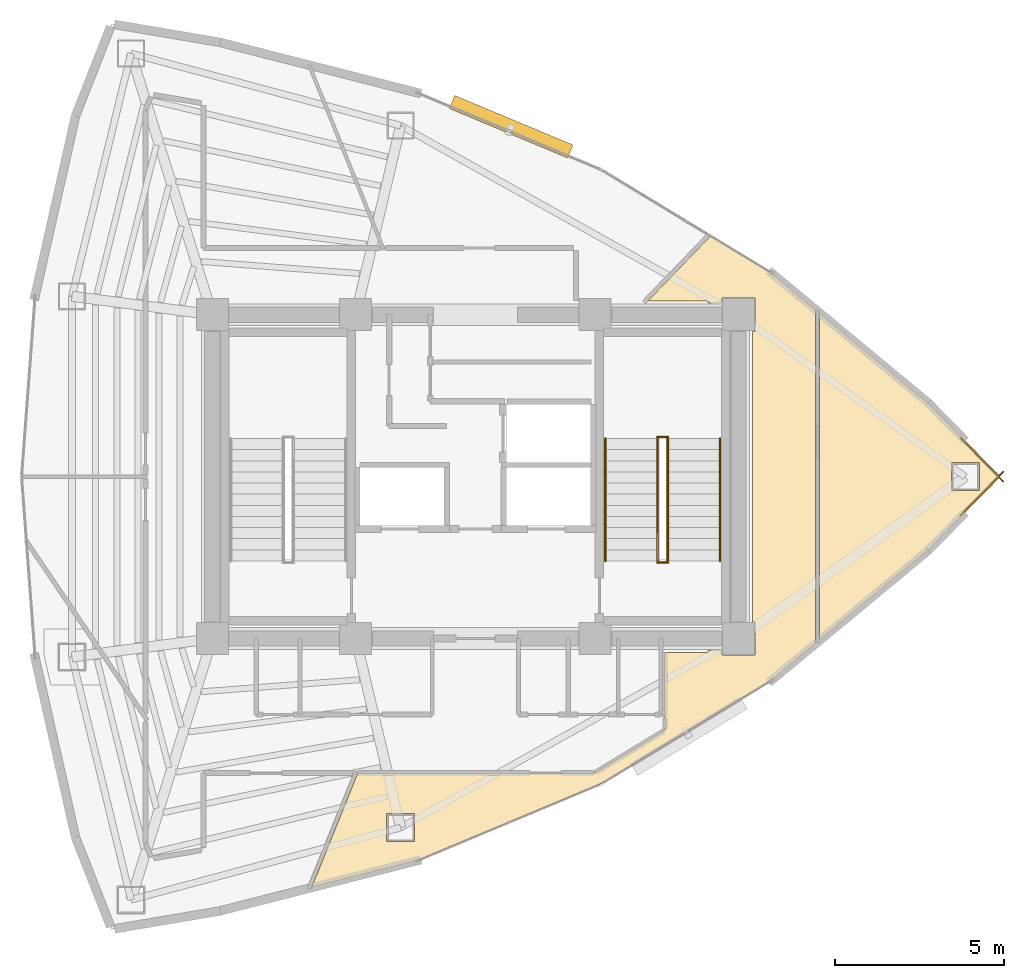
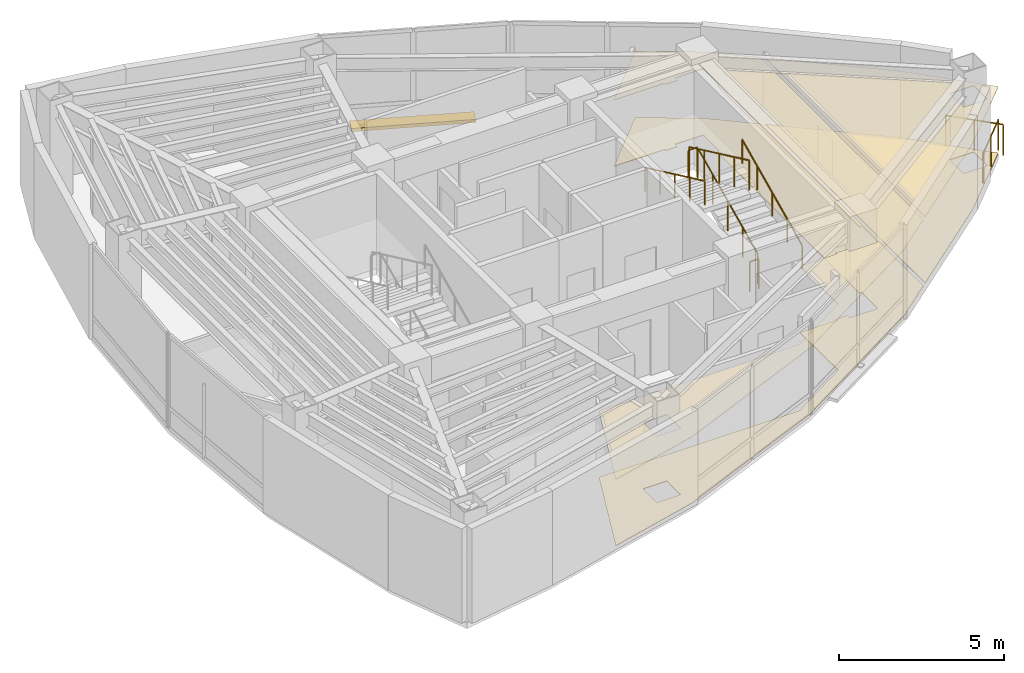
# One storey, part 15 of 15: 8 railings, 4 coverings, 1 shading device.
"""IFC4 building model written with IfcOpenShell, lengths in metres."""

from ifc_helpers import new_model, si_unit, direction, frame, origin, origin_2d, place, context, subcontext, project, spatial, polyline, rectangle, circle, outline, extrude, material, layer, layer_set, type_object, element, save


model = new_model("IFC4")

# Units and contexts
model_context = context("Model", 3, precision=1e-05, world=origin(), true_north=direction((0.0, 1.0)))
body_context = subcontext(model_context, "Body", "Model", "MODEL_VIEW")
ifc_project = project(units=[si_unit("LENGTHUNIT", "METRE"), si_unit("AREAUNIT", "SQUARE_METRE"), si_unit("VOLUMEUNIT", "CUBIC_METRE"), si_unit("PLANEANGLEUNIT", "RADIAN"), si_unit("MASSUNIT", "GRAM", prefix="KILO")], contexts=[model_context])

# Site, building, storey
site_placement = place(None, origin())
site = spatial("IfcSite", under=ifc_project, at=site_placement, CompositionType="ELEMENT")
building_placement = place(site_placement, origin())
building = spatial("IfcBuilding", under=site, at=building_placement, Name="Menara Vayukalpa", CompositionType="ELEMENT")
storey_placement = place(building_placement, frame((0.0, 0.0, 265.739990234375)))
storey = spatial("IfcBuildingStorey", under=building, at=storey_placement, Name="L67", CompositionType="ELEMENT", Elevation=265.739990234375)

# Coverings
ifc_material_1 = material(Name="Mineral Fibre Acoustic Ceiling Tile", Category="masonry")
ifc_layer_1 = layer(ifc_material_1, 0.02490234375)
ifc_layer_set_1 = layer_set([ifc_layer_1], Name="Mineral Fibre Acoustic Ceiling Tile")
covering_type_1 = type_object("IfcCoveringType", Name="COV-CLG1", PredefinedType="CEILING", material=ifc_layer_set_1)
covering_1_placement = place(storey_placement, frame((0.0, 0.0, 2.449951171875)))
element("IfcCovering", 1, at=covering_1_placement, inside=storey, type_object=covering_type_1, Name="L67 Staff Dining and Pantry Acoustic Ceiling", PredefinedType="CEILING", context=body_context, shape_type="SweptSolid", body=[
    extrude(outline(polyline([(33.81005859375, 26.31005859375), (33.889892578125, 26.31005859375), (33.889892578125, 27.2900390625), (32.909912109375, 27.2900390625), (32.909912109375, 27.14990234375), (32.489990234375, 27.14990234375), (32.489990234375, 27.2099609375), (30.73828125, 27.2099609375), (30.7373046875, 27.2099609375), (30.736328125, 27.210205078125), (30.7353515625, 27.21044921875), (30.734375, 27.210693359375), (30.7333984375, 27.211181640625), (30.732666015625, 27.211669921875), (30.73193359375, 27.212158203125), (30.731201171875, 27.212890625), (30.73046875, 27.213623046875), (30.72998046875, 27.21435546875), (30.7294921875, 27.215087890625), (30.72900390625, 27.216064453125), (30.728759765625, 27.217041015625), (30.728515625, 27.218017578125), (30.728271484375, 27.218994140625), (30.728271484375, 27.219970703125), (30.728271484375, 27.220947265625), (30.728515625, 27.2216796875), (30.728515625, 27.222900390625), (30.72900390625, 27.2236328125), (30.729248046875, 27.224609375), (30.729736328125, 27.225341796875), (30.73046875, 27.226318359375), (30.73095703125, 27.226806640625), (32.561279296875, 29.122314453125), (32.56201171875, 29.122802734375), (32.562744140625, 29.12353515625), (32.563720703125, 29.1240234375), (32.564453125, 29.12451171875), (32.565185546875, 29.124755859375), (32.56640625, 29.125), (32.567138671875, 29.125244140625), (32.568115234375, 29.125244140625), (32.569091796875, 29.125244140625), (32.570068359375, 29.125244140625), (32.571044921875, 29.125), (32.572021484375, 29.124755859375), (32.57275390625, 29.124267578125), (32.57373046875, 29.123779296875), (34.37353515625, 28.030517578125), (34.374755859375, 28.02978515625), (35.6806640625, 26.946533203125), (35.681396484375, 26.94580078125), (35.681884765625, 26.9453125), (35.6826171875, 26.9443359375), (35.68310546875, 26.943603515625), (35.68359375, 26.942626953125), (35.683837890625, 26.941650390625), (35.68408203125, 26.940673828125), (35.68408203125, 26.939697265625), (35.68408203125, 26.938720703125), (35.68408203125, 26.937744140625), (35.683837890625, 26.936767578125), (35.68310546875, 26.93359375), (35.682373046875, 26.927490234375), (35.681884765625, 26.92138671875), (35.681884765625, 17.07861328125), (35.682373046875, 17.072509765625), (35.68310546875, 17.06640625), (35.683837890625, 17.063232421875), (35.68408203125, 17.062255859375), (35.68408203125, 17.061279296875), (35.68408203125, 17.060302734375), (35.68408203125, 17.059326171875), (35.683837890625, 17.058349609375), (35.68359375, 17.057373046875), (35.68310546875, 17.056396484375), (35.6826171875, 17.0556640625), (35.681884765625, 17.0546875), (35.681396484375, 17.05419921875), (35.6806640625, 17.053466796875), (34.374755859375, 15.97021484375), (34.37353515625, 15.969482421875), (29.3271484375, 12.904052734375), (29.326416015625, 12.90380859375), (29.32568359375, 12.9033203125), (23.878662109375, 10.624755859375), (23.877197265625, 10.624267578125), (20.76513671875, 9.83056640625), (20.76416015625, 9.830322265625), (20.76318359375, 9.830322265625), (20.76220703125, 9.830322265625), (20.76123046875, 9.830322265625), (20.76025390625, 9.83056640625), (20.75927734375, 9.830810546875), (20.75830078125, 9.831298828125), (20.757568359375, 9.831787109375), (20.756591796875, 9.83251953125), (20.755859375, 9.8330078125), (20.755126953125, 9.833740234375), (20.754638671875, 9.83447265625), (20.75390625, 9.835205078125), (20.753662109375, 9.836181640625), (20.753173828125, 9.837158203125), (20.7529296875, 9.838134765625), (20.752685546875, 9.839111328125), (20.752685546875, 9.840087890625), (20.752685546875, 9.841064453125), (20.7529296875, 9.842041015625), (20.753173828125, 9.843017578125), (20.75341796875, 9.843994140625), (22.11474609375, 13.213623046875), (22.115234375, 13.214599609375), (22.11572265625, 13.215576171875), (22.1162109375, 13.21630859375), (22.116943359375, 13.217041015625), (22.11767578125, 13.2177734375), (22.118408203125, 13.21826171875), (22.119384765625, 13.21875), (22.1201171875, 13.21923828125), (22.12109375, 13.219482421875), (22.1220703125, 13.2197265625), (22.123046875, 13.219970703125), (22.1240234375, 13.219970703125), (29.109619140625, 13.219970703125), (29.11669921875, 13.220458984375), (29.12353515625, 13.221435546875), (29.13037109375, 13.22314453125), (29.13720703125, 13.2255859375), (29.153076171875, 13.232177734375), (29.157958984375, 13.234375), (29.16259765625, 13.237060546875), (31.18603515625, 14.46630859375), (31.1923828125, 14.470458984375), (31.19775390625, 14.47509765625), (31.20263671875, 14.480224609375), (31.20703125, 14.48583984375), (31.2109375, 14.491943359375), (31.214111328125, 14.498291015625), (31.216552734375, 14.5048828125), (31.218505859375, 14.511962890625), (31.219482421875, 14.51904296875), (31.219970703125, 14.5263671875), (31.219970703125, 14.849609375), (31.219482421875, 14.856689453125), (31.21875, 14.86376953125), (31.217041015625, 14.870361328125), (31.214599609375, 14.876708984375), (31.2119140625, 14.8828125), (31.211669921875, 14.883056640625), (31.211181640625, 14.8837890625), (31.210693359375, 14.884765625), (31.21044921875, 14.8857421875), (31.210205078125, 14.88671875), (31.2099609375, 14.8876953125), (31.2099609375, 14.888671875), (31.2099609375, 16.780029296875), (31.2099609375, 16.781005859375), (31.210205078125, 16.781982421875), (31.21044921875, 16.782958984375), (31.210693359375, 16.78369140625), (31.211181640625, 16.78466796875), (31.211669921875, 16.78564453125), (31.21240234375, 16.786376953125), (31.212890625, 16.787109375), (31.213623046875, 16.78759765625), (31.21435546875, 16.788330078125), (31.21533203125, 16.788818359375), (31.21630859375, 16.789306640625), (31.217041015625, 16.78955078125), (31.218017578125, 16.789794921875), (31.218994140625, 16.7900390625), (31.219970703125, 16.7900390625), (32.489990234375, 16.7900390625), (32.489990234375, 16.85009765625), (32.909912109375, 16.85009765625), (32.909912109375, 16.7099609375), (33.889892578125, 16.7099609375), (33.889892578125, 17.68994140625), (33.81005859375, 17.68994140625), (33.81005859375, 26.31005859375)]), holes=[polyline([(23.796875, 12.01025390625), (22.966796875, 12.01025390625), (22.966796875, 11.18017578125), (23.796875, 11.18017578125), (23.796875, 12.01025390625)])]), origin(), (0.0, 0.0, 1.0), 0.025146484375),
])
covering_2_placement = place(storey_placement, frame((0.0, 0.0, 2.449951171875)))
element("IfcCovering", 2, at=covering_2_placement, inside=storey, type_object=covering_type_1, Name="L67 Staff Dining and Pantry Acoustic Ceiling", PredefinedType="CEILING", context=body_context, shape_type="SweptSolid", body=[
    extrude(outline(polyline([(41.15087890625, 22.007080078125), (41.151611328125, 22.00634765625), (41.15234375, 22.005615234375), (41.152587890625, 22.004638671875), (41.1533203125, 22.00390625), (41.153564453125, 22.0029296875), (41.15380859375, 22.001953125), (41.15380859375, 22.0009765625), (41.15380859375, 22.0), (41.15380859375, 21.9990234375), (41.15380859375, 21.998046875), (41.153564453125, 21.9970703125), (41.1533203125, 21.99609375), (41.152587890625, 21.995361328125), (41.15234375, 21.994384765625), (41.151611328125, 21.99365234375), (41.15087890625, 21.992919921875), (39.021240234375, 19.82373046875), (39.0205078125, 19.822998046875), (35.818359375, 17.16748046875), (35.817626953125, 17.1669921875), (35.81689453125, 17.16650390625), (35.81591796875, 17.166015625), (35.81494140625, 17.165771484375), (35.81396484375, 17.16552734375), (35.81298828125, 17.165283203125), (35.81201171875, 17.165283203125), (35.81103515625, 17.165283203125), (35.81005859375, 17.16552734375), (35.80908203125, 17.165771484375), (35.80810546875, 17.166015625), (35.807373046875, 17.16650390625), (35.806396484375, 17.1669921875), (35.8056640625, 17.16748046875), (35.804931640625, 17.168212890625), (35.80419921875, 17.1689453125), (35.8037109375, 17.169677734375), (35.80322265625, 17.170654296875), (35.802734375, 17.17138671875), (35.802490234375, 17.17236328125), (35.80224609375, 17.17333984375), (35.802001953125, 17.17431640625), (35.802001953125, 17.17529296875), (35.802001953125, 26.82470703125), (35.802001953125, 26.82568359375), (35.80224609375, 26.82666015625), (35.802490234375, 26.82763671875), (35.802734375, 26.82861328125), (35.80322265625, 26.829345703125), (35.8037109375, 26.830322265625), (35.80419921875, 26.8310546875), (35.804931640625, 26.831787109375), (35.8056640625, 26.83251953125), (35.806396484375, 26.8330078125), (35.807373046875, 26.83349609375), (35.80810546875, 26.833984375), (35.80908203125, 26.834228515625), (35.81005859375, 26.83447265625), (35.81103515625, 26.834716796875), (35.81201171875, 26.834716796875), (35.81298828125, 26.834716796875), (35.81396484375, 26.83447265625), (35.81494140625, 26.834228515625), (35.81591796875, 26.833984375), (35.81689453125, 26.83349609375), (35.817626953125, 26.8330078125), (35.818359375, 26.83251953125), (39.0205078125, 24.177001953125), (39.021240234375, 24.17626953125), (41.15087890625, 22.007080078125)]), holes=[polyline([(40.536865234375, 22.4150390625), (39.706787109375, 22.4150390625), (39.706787109375, 21.5849609375), (40.536865234375, 21.5849609375), (40.536865234375, 22.4150390625)])]), origin(), (0.0, 0.0, 1.0), 0.025146484375),
])
ifc_material_2 = material(Name="Porcelain Stoneware Floor Tile", Category="masonry")
ifc_layer_2 = layer(ifc_material_2, 0.02001953125)
ifc_layer_set_2 = layer_set([ifc_layer_2], Name="Porcelain Stoneware Floor Tile")
covering_type_2 = type_object("IfcCoveringType", Name="COV-FLR1", PredefinedType="FLOORING", material=ifc_layer_set_2)
covering_3_placement = place(storey_placement, origin())
element("IfcCovering", 3, at=covering_3_placement, inside=storey, type_object=covering_type_2, Name="L67 Staff Dining and Pantry Porcelain Flooring", PredefinedType="FLOORING", context=body_context, shape_type="SweptSolid", body=[
    extrude(outline(polyline([(33.81005859375, 26.31005859375), (33.889892578125, 26.31005859375), (33.889892578125, 27.2900390625), (32.909912109375, 27.2900390625), (32.909912109375, 27.14990234375), (32.489990234375, 27.14990234375), (32.489990234375, 27.2099609375), (30.73828125, 27.2099609375), (30.7373046875, 27.2099609375), (30.736328125, 27.210205078125), (30.7353515625, 27.21044921875), (30.734375, 27.210693359375), (30.7333984375, 27.211181640625), (30.732666015625, 27.211669921875), (30.73193359375, 27.212158203125), (30.731201171875, 27.212890625), (30.73046875, 27.213623046875), (30.72998046875, 27.21435546875), (30.7294921875, 27.215087890625), (30.72900390625, 27.216064453125), (30.728759765625, 27.217041015625), (30.728515625, 27.218017578125), (30.728271484375, 27.218994140625), (30.728271484375, 27.219970703125), (30.728271484375, 27.220947265625), (30.728515625, 27.2216796875), (30.728515625, 27.222900390625), (30.72900390625, 27.2236328125), (30.729248046875, 27.224609375), (30.729736328125, 27.225341796875), (30.73046875, 27.226318359375), (30.73095703125, 27.226806640625), (32.561279296875, 29.122314453125), (32.56201171875, 29.122802734375), (32.562744140625, 29.12353515625), (32.563720703125, 29.1240234375), (32.564453125, 29.12451171875), (32.565185546875, 29.124755859375), (32.56640625, 29.125), (32.567138671875, 29.125244140625), (32.568115234375, 29.125244140625), (32.569091796875, 29.125244140625), (32.570068359375, 29.125244140625), (32.571044921875, 29.125), (32.572021484375, 29.124755859375), (32.57275390625, 29.124267578125), (32.57373046875, 29.123779296875), (34.37353515625, 28.030517578125), (34.374755859375, 28.02978515625), (35.6806640625, 26.946533203125), (35.681396484375, 26.94580078125), (35.681884765625, 26.9453125), (35.6826171875, 26.9443359375), (35.68310546875, 26.943603515625), (35.68359375, 26.942626953125), (35.683837890625, 26.941650390625), (35.68408203125, 26.940673828125), (35.68408203125, 26.939697265625), (35.68408203125, 26.938720703125), (35.68408203125, 26.937744140625), (35.683837890625, 26.936767578125), (35.68310546875, 26.93359375), (35.682373046875, 26.927490234375), (35.681884765625, 26.92138671875), (35.681884765625, 17.07861328125), (35.682373046875, 17.072509765625), (35.68310546875, 17.06640625), (35.683837890625, 17.063232421875), (35.68408203125, 17.062255859375), (35.68408203125, 17.061279296875), (35.68408203125, 17.060302734375), (35.68408203125, 17.059326171875), (35.683837890625, 17.058349609375), (35.68359375, 17.057373046875), (35.68310546875, 17.056396484375), (35.6826171875, 17.0556640625), (35.681884765625, 17.0546875), (35.681396484375, 17.05419921875), (35.6806640625, 17.053466796875), (34.374755859375, 15.97021484375), (34.37353515625, 15.969482421875), (29.3271484375, 12.904052734375), (29.326416015625, 12.90380859375), (29.32568359375, 12.9033203125), (23.878662109375, 10.624755859375), (23.877197265625, 10.624267578125), (20.76513671875, 9.83056640625), (20.76416015625, 9.830322265625), (20.76318359375, 9.830322265625), (20.76220703125, 9.830322265625), (20.76123046875, 9.830322265625), (20.76025390625, 9.83056640625), (20.75927734375, 9.830810546875), (20.75830078125, 9.831298828125), (20.757568359375, 9.831787109375), (20.756591796875, 9.83251953125), (20.755859375, 9.8330078125), (20.755126953125, 9.833740234375), (20.754638671875, 9.83447265625), (20.75390625, 9.835205078125), (20.753662109375, 9.836181640625), (20.753173828125, 9.837158203125), (20.7529296875, 9.838134765625), (20.752685546875, 9.839111328125), (20.752685546875, 9.840087890625), (20.752685546875, 9.841064453125), (20.7529296875, 9.842041015625), (20.753173828125, 9.843017578125), (20.75341796875, 9.843994140625), (22.11474609375, 13.213623046875), (22.115234375, 13.214599609375), (22.11572265625, 13.215576171875), (22.1162109375, 13.21630859375), (22.116943359375, 13.217041015625), (22.11767578125, 13.2177734375), (22.118408203125, 13.21826171875), (22.119384765625, 13.21875), (22.1201171875, 13.21923828125), (22.12109375, 13.219482421875), (22.1220703125, 13.2197265625), (22.123046875, 13.219970703125), (22.1240234375, 13.219970703125), (29.109619140625, 13.219970703125), (29.11669921875, 13.220458984375), (29.12353515625, 13.221435546875), (29.13037109375, 13.22314453125), (29.13720703125, 13.2255859375), (29.153076171875, 13.232177734375), (29.157958984375, 13.234375), (29.16259765625, 13.237060546875), (31.18603515625, 14.46630859375), (31.1923828125, 14.470458984375), (31.19775390625, 14.47509765625), (31.20263671875, 14.480224609375), (31.20703125, 14.48583984375), (31.2109375, 14.491943359375), (31.214111328125, 14.498291015625), (31.216552734375, 14.5048828125), (31.218505859375, 14.511962890625), (31.219482421875, 14.51904296875), (31.219970703125, 14.5263671875), (31.219970703125, 14.849609375), (31.219482421875, 14.856689453125), (31.21875, 14.86376953125), (31.217041015625, 14.870361328125), (31.214599609375, 14.876708984375), (31.2119140625, 14.8828125), (31.211669921875, 14.883056640625), (31.211181640625, 14.8837890625), (31.210693359375, 14.884765625), (31.21044921875, 14.8857421875), (31.210205078125, 14.88671875), (31.2099609375, 14.8876953125), (31.2099609375, 14.888671875), (31.2099609375, 16.780029296875), (31.2099609375, 16.781005859375), (31.210205078125, 16.781982421875), (31.21044921875, 16.782958984375), (31.210693359375, 16.78369140625), (31.211181640625, 16.78466796875), (31.211669921875, 16.78564453125), (31.21240234375, 16.786376953125), (31.212890625, 16.787109375), (31.213623046875, 16.78759765625), (31.21435546875, 16.788330078125), (31.21533203125, 16.788818359375), (31.21630859375, 16.789306640625), (31.217041015625, 16.78955078125), (31.218017578125, 16.789794921875), (31.218994140625, 16.7900390625), (31.219970703125, 16.7900390625), (32.489990234375, 16.7900390625), (32.489990234375, 16.85009765625), (32.909912109375, 16.85009765625), (32.909912109375, 16.7099609375), (33.889892578125, 16.7099609375), (33.889892578125, 17.68994140625), (33.81005859375, 17.68994140625), (33.81005859375, 26.31005859375)]), holes=[polyline([(23.796875, 12.01025390625), (22.966796875, 12.01025390625), (22.966796875, 11.18017578125), (23.796875, 11.18017578125), (23.796875, 12.01025390625)])]), origin(), (0.0, 0.0, 1.0), 0.02001953125),
])
covering_4_placement = place(storey_placement, origin())
element("IfcCovering", 4, at=covering_4_placement, inside=storey, type_object=covering_type_2, Name="L67 Staff Dining and Pantry Porcelain Flooring", PredefinedType="FLOORING", context=body_context, shape_type="SweptSolid", body=[
    extrude(outline(polyline([(41.15087890625, 22.007080078125), (41.151611328125, 22.00634765625), (41.15234375, 22.005615234375), (41.152587890625, 22.004638671875), (41.1533203125, 22.00390625), (41.153564453125, 22.0029296875), (41.15380859375, 22.001953125), (41.15380859375, 22.0009765625), (41.15380859375, 22.0), (41.15380859375, 21.9990234375), (41.15380859375, 21.998046875), (41.153564453125, 21.9970703125), (41.1533203125, 21.99609375), (41.152587890625, 21.995361328125), (41.15234375, 21.994384765625), (41.151611328125, 21.99365234375), (41.15087890625, 21.992919921875), (39.021240234375, 19.82373046875), (39.0205078125, 19.822998046875), (35.818359375, 17.16748046875), (35.817626953125, 17.1669921875), (35.81689453125, 17.16650390625), (35.81591796875, 17.166015625), (35.81494140625, 17.165771484375), (35.81396484375, 17.16552734375), (35.81298828125, 17.165283203125), (35.81201171875, 17.165283203125), (35.81103515625, 17.165283203125), (35.81005859375, 17.16552734375), (35.80908203125, 17.165771484375), (35.80810546875, 17.166015625), (35.807373046875, 17.16650390625), (35.806396484375, 17.1669921875), (35.8056640625, 17.16748046875), (35.804931640625, 17.168212890625), (35.80419921875, 17.1689453125), (35.8037109375, 17.169677734375), (35.80322265625, 17.170654296875), (35.802734375, 17.17138671875), (35.802490234375, 17.17236328125), (35.80224609375, 17.17333984375), (35.802001953125, 17.17431640625), (35.802001953125, 17.17529296875), (35.802001953125, 26.82470703125), (35.802001953125, 26.82568359375), (35.80224609375, 26.82666015625), (35.802490234375, 26.82763671875), (35.802734375, 26.82861328125), (35.80322265625, 26.829345703125), (35.8037109375, 26.830322265625), (35.80419921875, 26.8310546875), (35.804931640625, 26.831787109375), (35.8056640625, 26.83251953125), (35.806396484375, 26.8330078125), (35.807373046875, 26.83349609375), (35.80810546875, 26.833984375), (35.80908203125, 26.834228515625), (35.81005859375, 26.83447265625), (35.81103515625, 26.834716796875), (35.81201171875, 26.834716796875), (35.81298828125, 26.834716796875), (35.81396484375, 26.83447265625), (35.81494140625, 26.834228515625), (35.81591796875, 26.833984375), (35.81689453125, 26.83349609375), (35.817626953125, 26.8330078125), (35.818359375, 26.83251953125), (39.0205078125, 24.177001953125), (39.021240234375, 24.17626953125), (41.15087890625, 22.007080078125)]), holes=[polyline([(40.536865234375, 22.4150390625), (39.706787109375, 22.4150390625), (39.706787109375, 21.5849609375), (40.536865234375, 21.5849609375), (40.536865234375, 22.4150390625)])]), origin(), (0.0, 0.0, 1.0), 0.02001953125),
])

# Railings
ifc_material_3 = material(Name="Laminated Glass and Stainless Steel 316 Guardrail", Category="steel")
railing_type_1 = type_object("IfcRailingType", Name="RLG-EXT115", PredefinedType="GUARDRAIL", material=ifc_material_3)
railing_1_placement = place(storey_placement, frame((39.976318359375, 20.853515625, 0.0)))
element("IfcRailing", 5, at=railing_1_placement, inside=storey, type_object=railing_type_1, Name="L67 Column Corner Spandrel Guardrail 01-1", PredefinedType="GUARDRAIL", context=body_context, shape_type="SweptSolid", body=[
    extrude(circle(Radius=0.02392578125, at=origin_2d()), frame((0.0, 0.0, 1.1259765625), z_axis=(0.700555224103, 0.713598190848, 0.0), x_axis=(-0.713598190848, 0.700555224103, 0.0)), (0.0, 0.0, 1.0), 1.815673828125),
    extrude(circle(Radius=0.02099609375, at=origin_2d()), origin(), (0.0, 0.0, 1.0), 1.101806640625),
    extrude(circle(Radius=0.02099609375, at=origin_2d()), frame((0.635986328125, 0.64794921875, 0.0)), (0.0, 0.0, 1.0), 1.101806640625),
    extrude(circle(Radius=0.02099609375, at=origin_2d()), frame((1.27197265625, 1.295654296875, 0.0)), (0.0, 0.0, 1.0), 1.101806640625),
])
railing_2_placement = place(storey_placement, frame((41.248291015625, 21.850830078125, 0.0)))
element("IfcRailing", 6, at=railing_2_placement, inside=storey, type_object=railing_type_1, Name="L67 Column Corner Spandrel Guardrail 02-1", PredefinedType="GUARDRAIL", context=body_context, shape_type="SweptSolid", body=[
    extrude(circle(Radius=0.02392578125, at=origin_2d()), frame((0.0, 0.0, 1.1259765625), z_axis=(-0.700555224103, 0.713598190848, 0.0), x_axis=(-0.713598190848, -0.700555224103, 0.0)), (0.0, 0.0, 1.0), 1.815673828125),
    extrude(circle(Radius=0.02099609375, at=origin_2d()), origin(), (0.0, 0.0, 1.0), 1.101806640625),
    extrude(circle(Radius=0.02099609375, at=origin_2d()), frame((-0.635986328125, 0.64794921875, 0.0)), (0.0, 0.0, 1.0), 1.101806640625),
    extrude(circle(Radius=0.02099609375, at=origin_2d()), frame((-1.27197265625, 1.295654296875, 0.0)), (0.0, 0.0, 1.0), 1.101806640625),
])
ifc_material_4 = material(Name="Powder-Coated Galvanised Steel Guardrail", Category="steel")
railing_type_2 = type_object("IfcRailingType", Name="RLG-STG110", PredefinedType="GUARDRAIL", material=ifc_material_4)
railing_3_placement = place(storey_placement, frame((31.300048828125, 19.5, 0.155029296875)))
element("IfcRailing", 7, at=railing_3_placement, inside=storey, type_object=railing_type_2, Name="L67 ST-2 stair guard 1", PredefinedType="GUARDRAIL", context=body_context, shape_type="SweptSolid", body=[
    extrude(circle(Radius=0.02392578125, at=origin_2d()), frame((0.0, 0.0, 1.09619140625), z_axis=(0.0, 0.90511648382, 0.425163675209), x_axis=(-1.0, 0.0, 0.0)), (0.0, 0.0, 1.0), 4.010498046875),
    extrude(circle(Radius=0.02099609375, at=origin_2d()), origin(), (0.0, 0.0, 1.0), 1.072021484375),
    extrude(circle(Radius=0.02099609375, at=origin_2d()), frame((0.0, 0.907470703125, 0.42626953125)), (0.0, 0.0, 1.0), 1.072021484375),
    extrude(circle(Radius=0.02099609375, at=origin_2d()), frame((0.0, 1.81494140625, 0.8525390625)), (0.0, 0.0, 1.0), 1.072021484375),
    extrude(circle(Radius=0.02099609375, at=origin_2d()), frame((0.0, 2.722412109375, 1.27880859375)), (0.0, 0.0, 1.0), 1.072021484375),
    extrude(circle(Radius=0.02099609375, at=origin_2d()), frame((0.0, 3.6298828125, 1.705078125)), (0.0, 0.0, 1.0), 1.072021484375),
])
railing_4_placement = place(storey_placement, frame((31.31005859375, 23.179931640625, 1.860107421875)))
element("IfcRailing", 8, at=railing_4_placement, inside=storey, type_object=railing_type_2, Name="L67 ST-2 stair guard 2", PredefinedType="GUARDRAIL", context=body_context, shape_type="SweptSolid", body=[
    extrude(circle(Radius=0.02392578125, at=origin_2d()), frame((0.0, 0.0, 1.09619140625), z_axis=(-1.0, 0.0, 0.0), x_axis=(0.0, -1.0, 0.0)), (0.0, 0.0, 1.0), 0.320068359375),
    extrude(circle(Radius=0.02099609375, at=origin_2d()), origin(), (0.0, 0.0, 1.0), 1.072021484375),
    extrude(circle(Radius=0.02099609375, at=origin_2d()), frame((-0.320068359375, 0.0, 0.0)), (0.0, 0.0, 1.0), 1.072021484375),
])
railing_5_placement = place(storey_placement, frame((31.0, 23.1298828125, 2.014892578125)))
element("IfcRailing", 9, at=railing_5_placement, inside=storey, type_object=railing_type_2, Name="L67 ST-2 stair guard 3", PredefinedType="GUARDRAIL", context=body_context, shape_type="SweptSolid", body=[
    extrude(circle(Radius=0.02392578125, at=origin_2d()), frame((0.0, 0.0, 1.09619140625), z_axis=(0.0, -0.90511648382, 0.425163675209), x_axis=(1.0, 0.0, 0.0)), (0.0, 0.0, 1.0), 4.010498046875),
    extrude(circle(Radius=0.02099609375, at=origin_2d()), origin(), (0.0, 0.0, 1.0), 1.072021484375),
    extrude(circle(Radius=0.02099609375, at=origin_2d()), frame((0.0, -0.907470703125, 0.42626953125)), (0.0, 0.0, 1.0), 1.072021484375),
    extrude(circle(Radius=0.02099609375, at=origin_2d()), frame((0.0, -1.81494140625, 0.8525390625)), (0.0, 0.0, 1.0), 1.072021484375),
    extrude(circle(Radius=0.02099609375, at=origin_2d()), frame((0.0, -2.722412109375, 1.27880859375)), (0.0, 0.0, 1.0), 1.072021484375),
    extrude(circle(Radius=0.02099609375, at=origin_2d()), frame((0.0, -3.6298828125, 1.705078125)), (0.0, 0.0, 1.0), 1.072021484375),
])
railing_6_placement = place(storey_placement, frame((31.31005859375, 19.449951171875, 0.0)))
element("IfcRailing", 10, at=railing_6_placement, inside=storey, type_object=railing_type_2, Name="L67 ST-2 stair guard 4", PredefinedType="GUARDRAIL", context=body_context, shape_type="SweptSolid", body=[
    extrude(circle(Radius=0.02392578125, at=origin_2d()), frame((0.0, 0.0, 1.09619140625), z_axis=(-1.0, 0.0, 0.0), x_axis=(0.0, -1.0, 0.0)), (0.0, 0.0, 1.0), 0.320068359375),
    extrude(circle(Radius=0.02099609375, at=origin_2d()), origin(), (0.0, 0.0, 1.0), 1.072021484375),
    extrude(circle(Radius=0.02099609375, at=origin_2d()), frame((-0.320068359375, 0.0, 0.0)), (0.0, 0.0, 1.0), 1.072021484375),
])
ifc_material_5 = material(Name="Stainless Steel 316 Tubular Handrail", Category="steel")
railing_type_3 = type_object("IfcRailingType", Name="RLG-STH090", PredefinedType="HANDRAIL", material=ifc_material_5)
railing_7_placement = place(storey_placement, frame((32.85009765625, 19.5, 0.155029296875)))
element("IfcRailing", 11, at=railing_7_placement, inside=storey, type_object=railing_type_3, Name="L67 ST-2 stair handrail 1", PredefinedType="HANDRAIL", context=body_context, shape_type="SweptSolid", body=[
    extrude(circle(Radius=0.02392578125, at=origin_2d()), frame((0.0, 0.0, 0.8759765625), z_axis=(0.0, 0.90511648382, 0.425163675209), x_axis=(-1.0, 0.0, 0.0)), (0.0, 0.0, 1.0), 4.010498046875),
    extrude(circle(Radius=0.02099609375, at=origin_2d()), origin(), (0.0, 0.0, 1.0), 0.851806640625),
    extrude(circle(Radius=0.02099609375, at=origin_2d()), frame((0.0, 0.907470703125, 0.42626953125)), (0.0, 0.0, 1.0), 0.851806640625),
    extrude(circle(Radius=0.02099609375, at=origin_2d()), frame((0.0, 1.81494140625, 0.8525390625)), (0.0, 0.0, 1.0), 0.851806640625),
    extrude(circle(Radius=0.02099609375, at=origin_2d()), frame((0.0, 2.722412109375, 1.27880859375)), (0.0, 0.0, 1.0), 0.851806640625),
    extrude(circle(Radius=0.02099609375, at=origin_2d()), frame((0.0, 3.6298828125, 1.705078125)), (0.0, 0.0, 1.0), 0.851806640625),
])
railing_8_placement = place(storey_placement, frame((29.449951171875, 23.1298828125, 2.014892578125)))
element("IfcRailing", 12, at=railing_8_placement, inside=storey, type_object=railing_type_3, Name="L67 ST-2 stair handrail 2", PredefinedType="HANDRAIL", context=body_context, shape_type="SweptSolid", body=[
    extrude(circle(Radius=0.02392578125, at=origin_2d()), frame((0.0, 0.0, 0.8759765625), z_axis=(0.0, -0.90511648382, 0.425163675209), x_axis=(1.0, 0.0, 0.0)), (0.0, 0.0, 1.0), 4.010498046875),
    extrude(circle(Radius=0.02099609375, at=origin_2d()), origin(), (0.0, 0.0, 1.0), 0.851806640625),
    extrude(circle(Radius=0.02099609375, at=origin_2d()), frame((0.0, -0.907470703125, 0.42626953125)), (0.0, 0.0, 1.0), 0.851806640625),
    extrude(circle(Radius=0.02099609375, at=origin_2d()), frame((0.0, -1.81494140625, 0.8525390625)), (0.0, 0.0, 1.0), 0.851806640625),
    extrude(circle(Radius=0.02099609375, at=origin_2d()), frame((0.0, -2.722412109375, 1.27880859375)), (0.0, 0.0, 1.0), 0.851806640625),
    extrude(circle(Radius=0.02099609375, at=origin_2d()), frame((0.0, -3.6298828125, 1.705078125)), (0.0, 0.0, 1.0), 0.851806640625),
])

# Shading device
ifc_material_6 = material(Name="Glazed Terracotta Ceramic Baguette Extrusion", Category="masonry")
ifc_layer_3 = layer(ifc_material_6, 0.1201171875)
ifc_layer_set_3 = layer_set([ifc_layer_3], Name="Glazed Terracotta Ceramic Baguette Extrusion")
shading_device_type = type_object("IfcShadingDeviceType", Name="SHD-SS1", PredefinedType="USERDEFINED", material=ifc_layer_set_3)
shading_device_placement = place(storey_placement, frame((26.66015625, 32.374267578125, -0.10009765625), z_axis=(0.0, 0.0, 1.0), x_axis=(-0.922538089456, 0.385906042324, 0.0)))
element("IfcShadingDevice", 13, at=shading_device_placement, inside=storey, type_object=shading_device_type, Name="L67 Horizontal Terracotta Sunshade Band 05", ObjectType="SUNSHADE", PredefinedType="USERDEFINED", context=body_context, shape_type="SweptSolid", body=[
    extrude(rectangle(XDim=3.800048828125, YDim=0.419921875, at=origin_2d()), origin(), (0.0, 0.0, 1.0), 0.1201171875),
])

save(model, "model.ifc")
